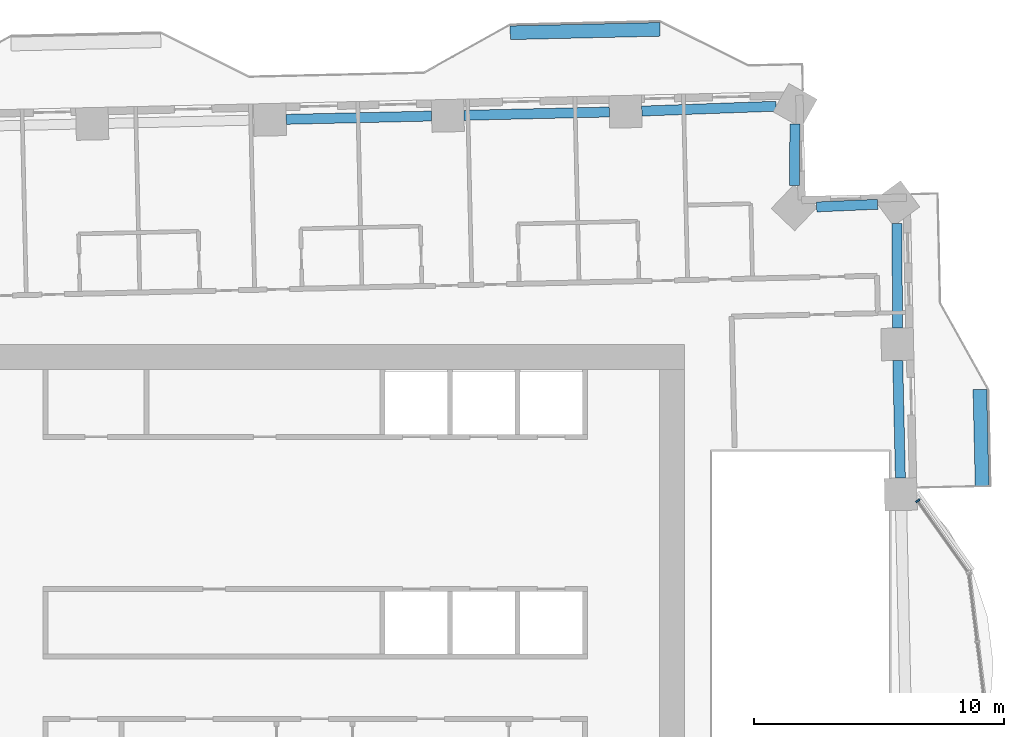
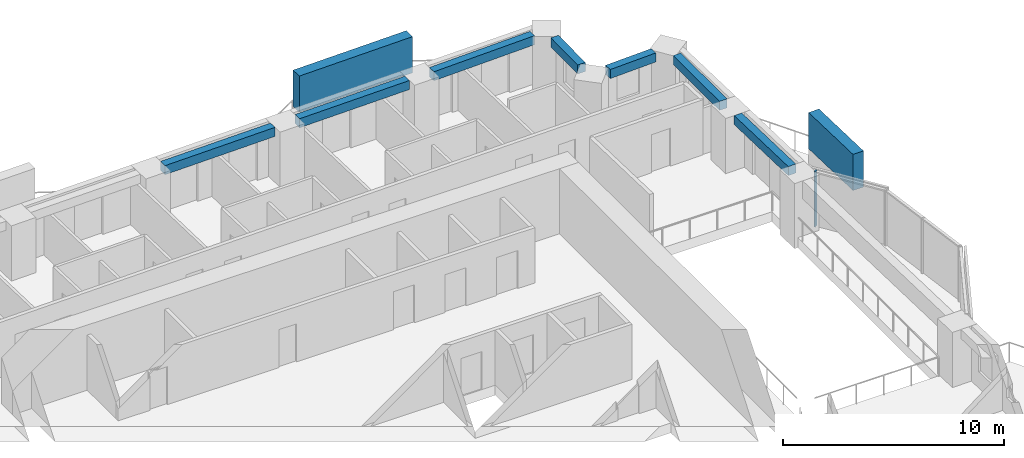
# One storey, part 4 of 16: 7 beams, 3 members, 1 element without a shape of its own.
"""IFC4 building model written with IfcOpenShell, lengths in metres."""

import ifcopenshell
import ifcopenshell.guid

model = None  # the IFC model being written
_history = None  # IfcOwnerHistory: only IFC2X3 demands one
_inside = {}  # id of a spatial element -> (the spatial element, [elements in it])
_under = {}  # id of a project, library or spatial element -> (it, [spatial elements below it])
_declared = {}  # id of a project -> (the project, [libraries it declares])
_typed = {}  # id of a type object -> (the type object, [elements of that type])
_made_of = {}  # id of a material, layer set ... -> (it, [elements and type objects made of it])


def new_model(schema):
    """Start an empty IFC model of exactly this schema.

    Asked for "IFC4X3", IfcOpenShell would pick the latest addendum, in which some entities
    have other attributes; the version numbers below select the first issue.
    IFC2X3 requires an IfcOwnerHistory on every rooted entity: one is made here for all.
    """
    global model, _history
    if schema == "IFC4X3":
        model = ifcopenshell.file(schema_version=(4, 3, 0, 0))
    else:
        model = ifcopenshell.file(schema=schema)
    _inside.clear()
    _under.clear()
    _declared.clear()
    _typed.clear()
    _made_of.clear()
    _history = None
    if model.schema == "IFC2X3":
        org = make("IfcOrganization", Name="unknown")
        user = make(
            "IfcPersonAndOrganization",
            ThePerson=make("IfcPerson", FamilyName="unknown"),
            TheOrganization=org,
        )
        app = make(
            "IfcApplication",
            ApplicationDeveloper=org,
            Version="unknown",
            ApplicationFullName="unknown",
            ApplicationIdentifier="unknown",
        )
        _history = make(
            "IfcOwnerHistory",
            OwningUser=user,
            OwningApplication=app,
            ChangeAction="ADDED",
            CreationDate=0,
        )
    return model


def make(cls, **values):
    """One entity of the class cls with the attributes given. An attribute that is None is left unset."""
    return model.create_entity(
        cls, **{name: value for name, value in values.items() if value is not None}
    )


def rooted(cls, **values):
    """An entity with a GlobalId (a new one), such as an element, a storey or a relation."""
    return make(cls, GlobalId=ifcopenshell.guid.new(), OwnerHistory=_history, **values)


def si_unit(unit_type, name, prefix=None):
    """IfcSIUnit, for example si_unit("LENGTHUNIT", "METRE", prefix="MILLI")."""
    return make("IfcSIUnit", UnitType=unit_type, Prefix=prefix, Name=name)


def assignment(units):
    """IfcUnitAssignment: the units of a project."""
    return None if units is None else make("IfcUnitAssignment", Units=units)


def point(xyz):
    """IfcCartesianPoint."""
    return None if xyz is None else make("IfcCartesianPoint", Coordinates=xyz)


def direction(xyz):
    """IfcDirection."""
    return None if xyz is None else make("IfcDirection", DirectionRatios=xyz)


def frame(location, z_axis=None, x_axis=None):
    """IfcAxis2Placement3D, a coordinate frame: its origin and axes. An axis left out is left unset."""
    return make(
        "IfcAxis2Placement3D",
        Location=point(location),
        Axis=direction(z_axis),
        RefDirection=direction(x_axis),
    )


def frame_2d(location, x_axis=None):
    """IfcAxis2Placement2D, a coordinate frame in the plane: its origin and x axis."""
    return make(
        "IfcAxis2Placement2D", Location=point(location), RefDirection=direction(x_axis)
    )


def origin():
    """The frame at (0, 0, 0) with its axes left unset."""
    return frame((0.0, 0.0, 0.0))


def origin_2d():
    """The frame at (0, 0) in the plane with its x axis left unset."""
    return frame_2d((0.0, 0.0))


def place(relative_to, where):
    """IfcLocalPlacement: puts the frame where relative to a parent placement (None: the world)."""
    return make(
        "IfcLocalPlacement", PlacementRelTo=relative_to, RelativePlacement=where
    )


def context(
    kind, dimensions, precision=None, world=None, true_north=None, identifier=None
):
    """IfcGeometricRepresentationContext, for example the 3D "Model" context."""
    return make(
        "IfcGeometricRepresentationContext",
        ContextIdentifier=identifier,
        ContextType=kind,
        CoordinateSpaceDimension=dimensions,
        Precision=precision,
        WorldCoordinateSystem=world,
        TrueNorth=true_north,
    )


def subcontext(parent, identifier, kind, view, scale=None):
    """IfcGeometricRepresentationSubContext, for example "Body" below "Model"."""
    return make(
        "IfcGeometricRepresentationSubContext",
        ContextIdentifier=identifier,
        ContextType=kind,
        ParentContext=parent,
        TargetScale=scale,
        TargetView=view,
    )


def project(units=None, contexts=None):
    """IfcProject with its units and contexts."""
    return rooted(
        "IfcProject",
        Name="project",
        RepresentationContexts=contexts,
        UnitsInContext=assignment(units),
    )


def spatial(cls, under=None, at=None, **own):
    """A site, building, storey or space (cls), placed at a placement, below another one or the project."""
    s = rooted(cls, ObjectPlacement=at, **own)
    if under is not None:
        _under.setdefault(under.id(), (under, []))[1].append(s)
    return s


def profile(cls, at=None, kind="AREA", **sizes):
    """A parametric profile (cls). Its sizes go by their IFC names, for example OverallWidth=200.0."""
    return make(cls, ProfileType=kind, Position=at, **sizes)


def rectangle(**sizes):
    """IfcRectangleProfileDef."""
    return profile("IfcRectangleProfileDef", **sizes)


def extrude(swept, where, along, depth):
    """IfcExtrudedAreaSolid: the profile swept, set in the frame where, extruded along a direction by depth."""
    return make(
        "IfcExtrudedAreaSolid",
        SweptArea=swept,
        Position=where,
        ExtrudedDirection=direction(along),
        Depth=depth,
    )


def shape(context_of_items, identifier, shape_type, items):
    """IfcShapeRepresentation: the items that make up one representation, for example the "Body"."""
    return make(
        "IfcShapeRepresentation",
        ContextOfItems=context_of_items,
        RepresentationIdentifier=identifier,
        RepresentationType=shape_type,
        Items=items,
    )


def material(Name=None, Category=None):
    """IfcMaterial."""
    return make("IfcMaterial", Name=Name, Category=Category)


def material_profile(
    of_material, cross_section, Name=None, Category=None, Priority=None
):
    """IfcMaterialProfile: a cross section and its material."""
    return make(
        "IfcMaterialProfile",
        Name=Name,
        Material=of_material,
        Profile=cross_section,
        Priority=Priority,
        Category=Category,
    )


def profile_set(profiles, Name=None, composite=None):
    """IfcMaterialProfileSet."""
    return make(
        "IfcMaterialProfileSet",
        Name=Name,
        MaterialProfiles=profiles,
        CompositeProfile=composite,
    )


def made_of(thing, what):
    """Note that an element or type object is made of a material, layer set ...; save() writes the relation."""
    if what is not None:
        _made_of.setdefault(what.id(), (what, []))[1].append(thing)
    return thing


def type_object(cls, material=None, **own):
    """A type object (cls), such as IfcWallType, which elements share."""
    return made_of(rooted(cls, **own), material)


def element(
    cls,
    number,
    at=None,
    inside=None,
    cuts=None,
    type_object=None,
    material=None,
    context=None,
    identifier="Body",
    shape_type=None,
    held_by="IfcProductDefinitionShape",
    body=None,
    shapes=None,
    **own,
):
    """One element of the class cls, such as IfcWall. Its Tag is "e" and its number.

    at: its placement. inside: the storey or other place that contains it. cuts: it is an
    opening in that element (IfcRelVoidsElement). A single representation is given by context,
    identifier, shape_type and body (its items); several are given by shapes. held_by: the class
    of the entity that holds the representations. save() writes the other relations.
    """
    e = rooted(cls, Tag="e%d" % number, ObjectPlacement=at, **own)
    if body is not None:
        shapes = [shape(context, identifier, shape_type, body)]
    if shapes is not None:
        e.Representation = make(held_by, Representations=shapes)
    if inside is not None:
        _inside.setdefault(inside.id(), (inside, []))[1].append(e)
    if cuts is not None:
        rooted(
            "IfcRelVoidsElement", RelatingBuildingElement=cuts, RelatedOpeningElement=e
        )
    if type_object is not None:
        _typed.setdefault(type_object.id(), (type_object, []))[1].append(e)
    return made_of(e, material)


def aggregate(whole, parts):
    """IfcRelAggregates: a whole, such as a stair, and the parts it consists of."""
    return rooted("IfcRelAggregates", RelatingObject=whole, RelatedObjects=parts)


def save(model, path):
    """Write the relations noted so far, then the file.

    IfcRelAggregates (storeys below a building ...), IfcRelContainedInSpatialStructure (elements
    in a storey), IfcRelDefinesByType, IfcRelAssociatesMaterial and IfcRelDeclares: one each for
    every whole, place, type object, material and project.
    """
    for whole, parts in _under.values():
        aggregate(whole, parts)
    for where, things in _inside.values():
        rooted(
            "IfcRelContainedInSpatialStructure",
            RelatedElements=things,
            RelatingStructure=where,
        )
    for kind, things in _typed.values():
        rooted("IfcRelDefinesByType", RelatedObjects=things, RelatingType=kind)
    for what, things in _made_of.values():
        rooted("IfcRelAssociatesMaterial", RelatedObjects=things, RelatingMaterial=what)
    for by, libraries in _declared.values():
        rooted("IfcRelDeclares", RelatingContext=by, RelatedDefinitions=libraries)
    model.write(path)


model = new_model("IFC4")

# Units and contexts
model_context = context("Model", 3, precision=1e-05, world=origin(), true_north=direction((0.0, 1.0)))
body_context = subcontext(model_context, "Body", "Model", "MODEL_VIEW")
ifc_project = project(units=[si_unit("LENGTHUNIT", "METRE"), si_unit("AREAUNIT", "SQUARE_METRE"), si_unit("VOLUMEUNIT", "CUBIC_METRE"), si_unit("PLANEANGLEUNIT", "RADIAN"), si_unit("MASSUNIT", "GRAM", prefix="KILO")], contexts=[model_context])

# Site, building, storey
site_placement = place(None, origin())
site = spatial("IfcSite", under=ifc_project, at=site_placement, CompositionType="ELEMENT")
building_placement = place(site_placement, origin())
building = spatial("IfcBuilding", under=site, at=building_placement, Name="Mangrove Gate Tower", CompositionType="ELEMENT")
storey_placement = place(building_placement, frame((0.0, 0.0, 130.10009765625)))
storey = spatial("IfcBuildingStorey", under=building, at=storey_placement, Name="L32", CompositionType="ELEMENT", Elevation=130.10009765625)

# Curtain wall, member
ifc_material_1 = material(Name="Aluminium and glass curtain wall", Category="aluminium")
curtain_wall_type = type_object("IfcCurtainWallType", Name="Atrium garden-court glazing wall", PredefinedType="NOTDEFINED", material=ifc_material_1)
curtain_wall_placement = place(storey_placement, origin())
curtain_wall = element("IfcCurtainWall", 1, at=curtain_wall_placement, inside=storey, type_object=curtain_wall_type, Name="Atrium garden-court glazing E1f3", PredefinedType="NOTDEFINED")
ifc_material_2 = material(Name="Aluminium alloy 6063-T6", Category="aluminium")
ifc_material_profile_1 = material_profile(ifc_material_2, rectangle(XDim=0.070068359375, YDim=0.199951171875, at=origin_2d()))
ifc_profile_set_1 = profile_set([ifc_material_profile_1], Name="Aluminium alloy 6063-T6")
member_type_1 = type_object("IfcMemberType", Name="Atrium garden-court glazing mullion 70x200", PredefinedType="MULLION", material=ifc_profile_set_1)
member_1_placement = place(storey_placement, frame((24.144775390625, 5.53759765625, 0.0), z_axis=(0.0, 0.0, 1.0), x_axis=(-0.578132252952, 0.815943072828, 0.0)))
member_1 = element("IfcMember", 2, at=member_1_placement, type_object=member_type_1, Name="CWA mullion 2", PredefinedType="MULLION", context=body_context, shape_type="SweptSolid", body=[
    extrude(rectangle(XDim=0.070068359375, YDim=0.199951171875, at=origin_2d()), origin(), (0.0, 0.0, 1.0), 3.0498046875),
])
aggregate(curtain_wall, [member_1])

# Members
ifc_material_3 = material(Name="Planting on aluminium trellis", Category="aluminium")
ifc_material_profile_2 = material_profile(ifc_material_3, rectangle(XDim=0.550048828125, YDim=2.0, at=origin_2d()))
ifc_profile_set_2 = profile_set([ifc_material_profile_2], Name="Planting on aluminium trellis")
member_type_2 = type_object("IfcMemberType", Name="Balcony greenery screen 550x2000", PredefinedType="USERDEFINED", material=ifc_profile_set_2)
member_2_placement = place(storey_placement, frame((26.718017578125, 6.1201171875, 1.7998046875), z_axis=(-0.022745736617, 0.999741282265, 0.0), x_axis=(-0.999741282265, -0.022745736617, 0.0)))
element("IfcMember", 3, at=member_2_placement, inside=storey, type_object=member_type_2, Name="GREEN SCREEN L32 E1.1", ObjectType="PLANTING", PredefinedType="USERDEFINED", context=body_context, shape_type="SweptSolid", body=[
    extrude(rectangle(XDim=0.550048828125, YDim=2.0, at=origin_2d()), origin(), (0.0, 0.0, 1.0), 3.874755859375),
])
member_3_placement = place(storey_placement, frame((7.81396484375, 24.284912109375, 1.7998046875), z_axis=(0.999743094499, 0.022665943652, 0.0), x_axis=(-0.022665943652, 0.999743094499, 0.0)))
element("IfcMember", 4, at=member_3_placement, inside=storey, type_object=member_type_2, Name="GREEN SCREEN L32 N0.1", ObjectType="PLANTING", PredefinedType="USERDEFINED", context=body_context, shape_type="SweptSolid", body=[
    extrude(rectangle(XDim=0.550048828125, YDim=2.0, at=origin_2d()), origin(), (0.0, 0.0, 1.0), 5.99951171875),
])

# Beams
ifc_material_4 = material(Name="Concrete C50/60", Category="concrete")
ifc_material_profile_3 = material_profile(ifc_material_4, rectangle(XDim=0.39990234375, YDim=0.5, at=origin_2d()))
ifc_profile_set_3 = profile_set([ifc_material_profile_3], Name="Concrete C50/60")
beam_type = type_object("IfcBeamType", Name="Edge beam RC 400x500 C50/60", PredefinedType="BEAM", material=ifc_profile_set_3)
beam_1_placement = place(storey_placement, frame((23.444580078125, 6.446044921875, 2.7998046875), z_axis=(-0.022643720968, 0.999743598079, 0.0), x_axis=(-0.999743598079, -0.022643720968, 0.0)))
element("IfcBeam", 5, at=beam_1_placement, inside=storey, type_object=beam_type, Name="Edge beam L32 15", PredefinedType="BEAM", context=body_context, shape_type="SweptSolid", body=[
    extrude(rectangle(XDim=0.39990234375, YDim=0.5, at=origin_2d()), origin(), (0.0, 0.0, 1.0), 4.711669921875),
])
beam_2_placement = place(storey_placement, frame((23.322021484375, 12.45654296875, 2.7998046875), z_axis=(-0.001866103585, 0.999998258827, 0.0), x_axis=(-0.999998258827, -0.001866103585, 0.0)))
element("IfcBeam", 6, at=beam_2_placement, inside=storey, type_object=beam_type, Name="Edge beam L32 16", PredefinedType="BEAM", context=body_context, shape_type="SweptSolid", body=[
    extrude(rectangle(XDim=0.39990234375, YDim=0.5, at=origin_2d()), origin(), (0.0, 0.0, 1.0), 4.1865234375),
])
beam_3_placement = place(storey_placement, frame((22.531982421875, 17.41357421875, 2.7998046875), z_axis=(-0.999039321051, -0.04382276798, 0.0), x_axis=(0.04382276798, -0.999039321051, 0.0)))
element("IfcBeam", 7, at=beam_3_placement, inside=storey, type_object=beam_type, Name="Edge beam L32 17", PredefinedType="BEAM", context=body_context, shape_type="SweptSolid", body=[
    extrude(rectangle(XDim=0.39990234375, YDim=0.5, at=origin_2d()), origin(), (0.0, 0.0, 1.0), 2.44580078125),
])
beam_4_placement = place(storey_placement, frame((19.19677734375, 18.15869140625, 2.7998046875), z_axis=(0.008702202125, 0.999962135122, 0.0), x_axis=(-0.999962135122, 0.008702202125, 0.0)))
element("IfcBeam", 8, at=beam_4_placement, inside=storey, type_object=beam_type, Name="Edge beam L32 18", PredefinedType="BEAM", context=body_context, shape_type="SweptSolid", body=[
    extrude(rectangle(XDim=0.39990234375, YDim=0.5, at=origin_2d()), origin(), (0.0, 0.0, 1.0), 2.46875),
])
beam_5_placement = place(storey_placement, frame((18.464599609375, 21.34130859375, 2.7998046875), z_axis=(-0.999351539582, -0.036006948424, 0.0), x_axis=(0.036006948424, -0.999351539582, 0.0)))
element("IfcBeam", 9, at=beam_5_placement, inside=storey, type_object=beam_type, Name="Edge beam L32 19", PredefinedType="BEAM", context=body_context, shape_type="SweptSolid", body=[
    extrude(rectangle(XDim=0.39990234375, YDim=0.5, at=origin_2d()), origin(), (0.0, 0.0, 1.0), 5.383544921875),
])
for number, where, z_axis, x_axis, name in (
    (10, (11.784912109375, 21.109375, 2.7998046875), (-0.999741835545, -0.022721405353, 0.0), (0.022721405353, -0.999741835545, 0.0), "Edge beam L32 20"),
    (11, (4.662841796875, 20.947509765625, 2.7998046875), (-0.999744684453, -0.022595705507, 0.0), (0.022595705507, -0.999744684453, 0.0), "Edge beam L32 21"),
):
    element("IfcBeam", number, at=place(storey_placement, frame(where, z_axis=z_axis, x_axis=x_axis)), inside=storey, type_object=beam_type, Name=name, PredefinedType="BEAM", context=body_context, shape_type="SweptSolid", body=[
        extrude(rectangle(XDim=0.39990234375, YDim=0.5, at=origin_2d()), origin(), (0.0, 0.0, 1.0), 5.82373046875),
    ])

save(model, "model.ifc")
